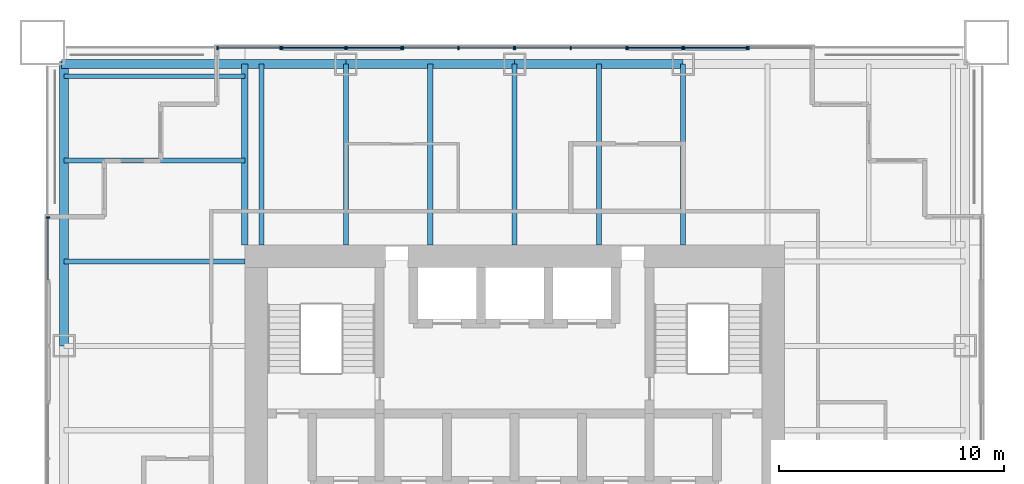
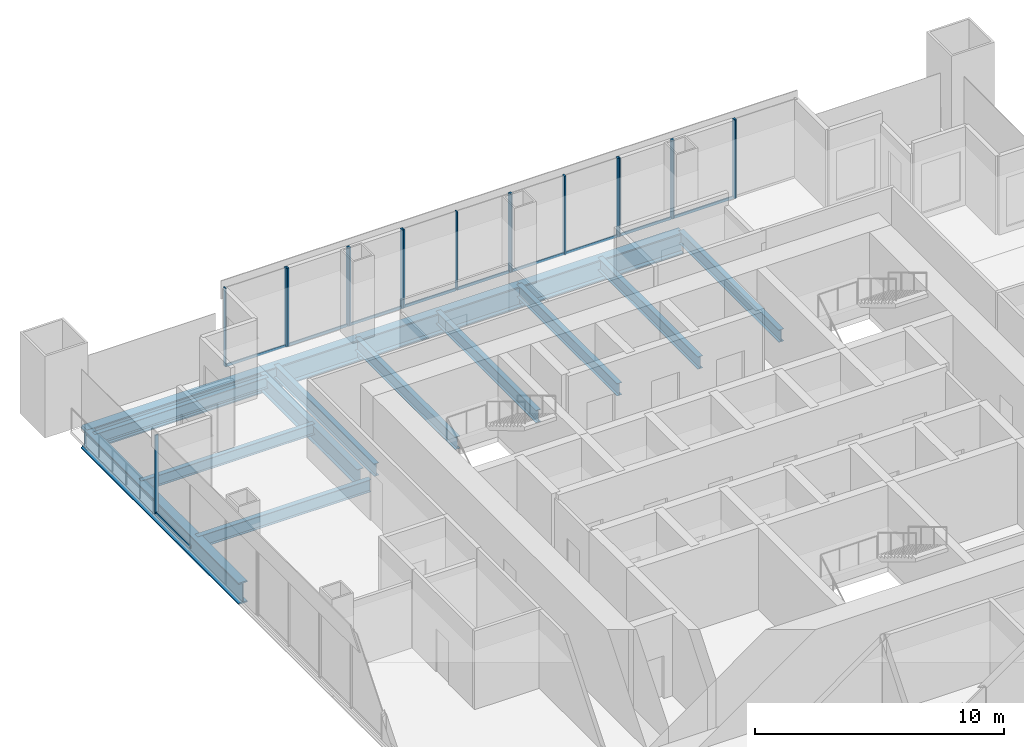
# One storey, part 6 of 14: 28 members, 14 beams, 9 elements without a shape of their own.
"""IFC4 building model written with IfcOpenShell, lengths in metres."""

import ifcopenshell
import ifcopenshell.guid

model = None  # the IFC model being written
_history = None  # IfcOwnerHistory: only IFC2X3 demands one
_inside = {}  # id of a spatial element -> (the spatial element, [elements in it])
_under = {}  # id of a project, library or spatial element -> (it, [spatial elements below it])
_declared = {}  # id of a project -> (the project, [libraries it declares])
_typed = {}  # id of a type object -> (the type object, [elements of that type])
_made_of = {}  # id of a material, layer set ... -> (it, [elements and type objects made of it])


def new_model(schema):
    """Start an empty IFC model of exactly this schema.

    Asked for "IFC4X3", IfcOpenShell would pick the latest addendum, in which some entities
    have other attributes; the version numbers below select the first issue.
    IFC2X3 requires an IfcOwnerHistory on every rooted entity: one is made here for all.
    """
    global model, _history
    if schema == "IFC4X3":
        model = ifcopenshell.file(schema_version=(4, 3, 0, 0))
    else:
        model = ifcopenshell.file(schema=schema)
    _inside.clear()
    _under.clear()
    _declared.clear()
    _typed.clear()
    _made_of.clear()
    _history = None
    if model.schema == "IFC2X3":
        org = make("IfcOrganization", Name="unknown")
        user = make(
            "IfcPersonAndOrganization",
            ThePerson=make("IfcPerson", FamilyName="unknown"),
            TheOrganization=org,
        )
        app = make(
            "IfcApplication",
            ApplicationDeveloper=org,
            Version="unknown",
            ApplicationFullName="unknown",
            ApplicationIdentifier="unknown",
        )
        _history = make(
            "IfcOwnerHistory",
            OwningUser=user,
            OwningApplication=app,
            ChangeAction="ADDED",
            CreationDate=0,
        )
    return model


def make(cls, **values):
    """One entity of the class cls with the attributes given. An attribute that is None is left unset."""
    return model.create_entity(
        cls, **{name: value for name, value in values.items() if value is not None}
    )


def rooted(cls, **values):
    """An entity with a GlobalId (a new one), such as an element, a storey or a relation."""
    return make(cls, GlobalId=ifcopenshell.guid.new(), OwnerHistory=_history, **values)


def si_unit(unit_type, name, prefix=None):
    """IfcSIUnit, for example si_unit("LENGTHUNIT", "METRE", prefix="MILLI")."""
    return make("IfcSIUnit", UnitType=unit_type, Prefix=prefix, Name=name)


def assignment(units):
    """IfcUnitAssignment: the units of a project."""
    return None if units is None else make("IfcUnitAssignment", Units=units)


def point(xyz):
    """IfcCartesianPoint."""
    return None if xyz is None else make("IfcCartesianPoint", Coordinates=xyz)


def direction(xyz):
    """IfcDirection."""
    return None if xyz is None else make("IfcDirection", DirectionRatios=xyz)


def frame(location, z_axis=None, x_axis=None):
    """IfcAxis2Placement3D, a coordinate frame: its origin and axes. An axis left out is left unset."""
    return make(
        "IfcAxis2Placement3D",
        Location=point(location),
        Axis=direction(z_axis),
        RefDirection=direction(x_axis),
    )


def frame_2d(location, x_axis=None):
    """IfcAxis2Placement2D, a coordinate frame in the plane: its origin and x axis."""
    return make(
        "IfcAxis2Placement2D", Location=point(location), RefDirection=direction(x_axis)
    )


def origin():
    """The frame at (0, 0, 0) with its axes left unset."""
    return frame((0.0, 0.0, 0.0))


def origin_2d():
    """The frame at (0, 0) in the plane with its x axis left unset."""
    return frame_2d((0.0, 0.0))


def place(relative_to, where):
    """IfcLocalPlacement: puts the frame where relative to a parent placement (None: the world)."""
    return make(
        "IfcLocalPlacement", PlacementRelTo=relative_to, RelativePlacement=where
    )


def context(
    kind, dimensions, precision=None, world=None, true_north=None, identifier=None
):
    """IfcGeometricRepresentationContext, for example the 3D "Model" context."""
    return make(
        "IfcGeometricRepresentationContext",
        ContextIdentifier=identifier,
        ContextType=kind,
        CoordinateSpaceDimension=dimensions,
        Precision=precision,
        WorldCoordinateSystem=world,
        TrueNorth=true_north,
    )


def subcontext(parent, identifier, kind, view, scale=None):
    """IfcGeometricRepresentationSubContext, for example "Body" below "Model"."""
    return make(
        "IfcGeometricRepresentationSubContext",
        ContextIdentifier=identifier,
        ContextType=kind,
        ParentContext=parent,
        TargetScale=scale,
        TargetView=view,
    )


def project(units=None, contexts=None):
    """IfcProject with its units and contexts."""
    return rooted(
        "IfcProject",
        Name="project",
        RepresentationContexts=contexts,
        UnitsInContext=assignment(units),
    )


def spatial(cls, under=None, at=None, **own):
    """A site, building, storey or space (cls), placed at a placement, below another one or the project."""
    s = rooted(cls, ObjectPlacement=at, **own)
    if under is not None:
        _under.setdefault(under.id(), (under, []))[1].append(s)
    return s


def profile(cls, at=None, kind="AREA", **sizes):
    """A parametric profile (cls). Its sizes go by their IFC names, for example OverallWidth=200.0."""
    return make(cls, ProfileType=kind, Position=at, **sizes)


def rectangle(**sizes):
    """IfcRectangleProfileDef."""
    return profile("IfcRectangleProfileDef", **sizes)


def i_section(**sizes):
    """IfcIShapeProfileDef."""
    return profile("IfcIShapeProfileDef", **sizes)


def extrude(swept, where, along, depth):
    """IfcExtrudedAreaSolid: the profile swept, set in the frame where, extruded along a direction by depth."""
    return make(
        "IfcExtrudedAreaSolid",
        SweptArea=swept,
        Position=where,
        ExtrudedDirection=direction(along),
        Depth=depth,
    )


def shape(context_of_items, identifier, shape_type, items):
    """IfcShapeRepresentation: the items that make up one representation, for example the "Body"."""
    return make(
        "IfcShapeRepresentation",
        ContextOfItems=context_of_items,
        RepresentationIdentifier=identifier,
        RepresentationType=shape_type,
        Items=items,
    )


def material(Name=None, Category=None):
    """IfcMaterial."""
    return make("IfcMaterial", Name=Name, Category=Category)


def material_profile(
    of_material, cross_section, Name=None, Category=None, Priority=None
):
    """IfcMaterialProfile: a cross section and its material."""
    return make(
        "IfcMaterialProfile",
        Name=Name,
        Material=of_material,
        Profile=cross_section,
        Priority=Priority,
        Category=Category,
    )


def profile_set(profiles, Name=None, composite=None):
    """IfcMaterialProfileSet."""
    return make(
        "IfcMaterialProfileSet",
        Name=Name,
        MaterialProfiles=profiles,
        CompositeProfile=composite,
    )


def made_of(thing, what):
    """Note that an element or type object is made of a material, layer set ...; save() writes the relation."""
    if what is not None:
        _made_of.setdefault(what.id(), (what, []))[1].append(thing)
    return thing


def type_object(cls, material=None, **own):
    """A type object (cls), such as IfcWallType, which elements share."""
    return made_of(rooted(cls, **own), material)


def element(
    cls,
    number,
    at=None,
    inside=None,
    cuts=None,
    type_object=None,
    material=None,
    context=None,
    identifier="Body",
    shape_type=None,
    held_by="IfcProductDefinitionShape",
    body=None,
    shapes=None,
    **own,
):
    """One element of the class cls, such as IfcWall. Its Tag is "e" and its number.

    at: its placement. inside: the storey or other place that contains it. cuts: it is an
    opening in that element (IfcRelVoidsElement). A single representation is given by context,
    identifier, shape_type and body (its items); several are given by shapes. held_by: the class
    of the entity that holds the representations. save() writes the other relations.
    """
    e = rooted(cls, Tag="e%d" % number, ObjectPlacement=at, **own)
    if body is not None:
        shapes = [shape(context, identifier, shape_type, body)]
    if shapes is not None:
        e.Representation = make(held_by, Representations=shapes)
    if inside is not None:
        _inside.setdefault(inside.id(), (inside, []))[1].append(e)
    if cuts is not None:
        rooted(
            "IfcRelVoidsElement", RelatingBuildingElement=cuts, RelatedOpeningElement=e
        )
    if type_object is not None:
        _typed.setdefault(type_object.id(), (type_object, []))[1].append(e)
    return made_of(e, material)


def aggregate(whole, parts):
    """IfcRelAggregates: a whole, such as a stair, and the parts it consists of."""
    return rooted("IfcRelAggregates", RelatingObject=whole, RelatedObjects=parts)


def save(model, path):
    """Write the relations noted so far, then the file.

    IfcRelAggregates (storeys below a building ...), IfcRelContainedInSpatialStructure (elements
    in a storey), IfcRelDefinesByType, IfcRelAssociatesMaterial and IfcRelDeclares: one each for
    every whole, place, type object, material and project.
    """
    for whole, parts in _under.values():
        aggregate(whole, parts)
    for where, things in _inside.values():
        rooted(
            "IfcRelContainedInSpatialStructure",
            RelatedElements=things,
            RelatingStructure=where,
        )
    for kind, things in _typed.values():
        rooted("IfcRelDefinesByType", RelatedObjects=things, RelatingType=kind)
    for what, things in _made_of.values():
        rooted("IfcRelAssociatesMaterial", RelatedObjects=things, RelatingMaterial=what)
    for by, libraries in _declared.values():
        rooted("IfcRelDeclares", RelatingContext=by, RelatedDefinitions=libraries)
    model.write(path)


model = new_model("IFC4")

# Units and contexts
model_context = context("Model", 3, precision=1e-05, world=origin(), true_north=direction((0.0, 1.0)))
body_context = subcontext(model_context, "Body", "Model", "MODEL_VIEW")
ifc_project = project(units=[si_unit("LENGTHUNIT", "METRE"), si_unit("AREAUNIT", "SQUARE_METRE"), si_unit("VOLUMEUNIT", "CUBIC_METRE"), si_unit("PLANEANGLEUNIT", "RADIAN"), si_unit("MASSUNIT", "GRAM", prefix="KILO")], contexts=[model_context])

# Site, building, storey
site_placement = place(None, origin())
site = spatial("IfcSite", under=ifc_project, at=site_placement, CompositionType="ELEMENT")
building_placement = place(site_placement, origin())
building = spatial("IfcBuilding", under=site, at=building_placement, Name="Tarangal Relay Tower", CompositionType="ELEMENT")
storey_placement = place(building_placement, frame((0.0, 0.0, 283.89990234375)))
storey = spatial("IfcBuildingStorey", under=building, at=storey_placement, Name="L62", CompositionType="ELEMENT", Elevation=283.89990234375)

# Beams
ifc_material_1 = material(Name="Steel ASTM A992", Category="steel")
ifc_material_profile_1 = material_profile(ifc_material_1, i_section(OverallWidth=0.209228515625, OverallDepth=0.533447265625, WebThickness=0.01025390625, FlangeThickness=0.015625, at=origin_2d()), Name="W21X62")
ifc_profile_set_1 = profile_set([ifc_material_profile_1], Name="Steel ASTM A992")
beam_type_1 = type_object("IfcBeamType", Name="Corner beam W21X62", PredefinedType="JOIST", material=ifc_profile_set_1)
for number, where, z_axis, x_axis, name in (
    (1, (-12.0, 15.75, -0.41650390625), (-1.0, 0.0, 0.0), (0.0, -1.0, 0.0), "Corner beam CB12 W L62"),
    (2, (-12.0, 19.5, -0.41650390625), (-1.0, 0.0, 0.0), (0.0, -1.0, 0.0), "Corner beam CB12 W L62"),
):
    element("IfcBeam", number, at=place(storey_placement, frame(where, z_axis=z_axis, x_axis=x_axis)), inside=storey, type_object=beam_type_1, Name=name, PredefinedType="JOIST", context=body_context, shape_type="SweptSolid", body=[
        extrude(i_section(OverallWidth=0.209228515625, OverallDepth=0.533447265625, WebThickness=0.01025390625, FlangeThickness=0.015625, at=origin_2d()), origin(), (0.0, 0.0, 1.0), 8.0400390625),
    ])
ifc_material_profile_2 = material_profile(ifc_material_1, i_section(OverallWidth=0.2919921875, OverallDepth=0.8408203125, WebThickness=0.0146484375, FlangeThickness=0.021728515625, at=origin_2d()), Name="W33X130")
ifc_profile_set_2 = profile_set([ifc_material_profile_2], Name="Steel ASTM A992")
beam_type_2 = type_object("IfcBeamType", Name="Corner girder W33X130", PredefinedType="BEAM", material=ifc_profile_set_2)
beam_1_placement = place(storey_placement, frame((-12.0, 12.0, -0.5703125), z_axis=(0.0, 1.0, 0.0), x_axis=(-1.0, 0.0, 0.0)))
element("IfcBeam", 3, at=beam_1_placement, inside=storey, type_object=beam_type_2, Name="Corner girder CG5 W L62", PredefinedType="BEAM", context=body_context, shape_type="SweptSolid", body=[
    extrude(i_section(OverallWidth=0.2919921875, OverallDepth=0.8408203125, WebThickness=0.0146484375, FlangeThickness=0.021728515625, at=origin_2d()), origin(), (0.0, 0.0, 1.0), 8.0400390625),
])
ifc_material_profile_3 = material_profile(ifc_material_1, i_section(OverallWidth=0.41162109375, OverallDepth=1.049072265625, WebThickness=0.033935546875, FlangeThickness=0.059814453125, at=origin_2d()), Name="W40X431")
ifc_profile_set_3 = profile_set([ifc_material_profile_3], Name="Steel ASTM A992")
beam_type_3 = type_object("IfcBeamType", Name="Edge girder W40X431", PredefinedType="SPANDREL", material=ifc_profile_set_3)
beam_2_placement = place(storey_placement, frame((-20.14990234375, 20.0400390625, -0.67431640625), z_axis=(1.0, 0.0, 0.0), x_axis=(0.0, 1.0, 0.0)))
element("IfcBeam", 4, at=beam_2_placement, inside=storey, type_object=beam_type_3, Name="Edge girder EG1 N L62", PredefinedType="SPANDREL", context=body_context, shape_type="SweptSolid", body=[
    extrude(i_section(OverallWidth=0.41162109375, OverallDepth=1.049072265625, WebThickness=0.033935546875, FlangeThickness=0.059814453125, at=origin_2d()), origin(), (0.0, 0.0, 1.0), 12.64990234375),
])
for number, where, z_axis, x_axis, name in (
    (5, (-7.5, 20.0400390625, -0.67431640625), (1.0, 0.0, 0.0), (0.0, 1.0, 0.0), "Edge girder EG1 N L62"),
    (6, (0.0, 20.0400390625, -0.67431640625), (1.0, 0.0, 0.0), (0.0, 1.0, 0.0), "Edge girder EG1 N L62"),
):
    element("IfcBeam", number, at=place(storey_placement, frame(where, z_axis=z_axis, x_axis=x_axis)), inside=storey, type_object=beam_type_3, Name=name, PredefinedType="SPANDREL", context=body_context, shape_type="SweptSolid", body=[
        extrude(i_section(OverallWidth=0.41162109375, OverallDepth=1.049072265625, WebThickness=0.033935546875, FlangeThickness=0.059814453125, at=origin_2d()), origin(), (0.0, 0.0, 1.0), 7.5),
    ])
beam_3_placement = place(storey_placement, frame((-20.0400390625, 7.5, -0.67431640625), z_axis=(0.0, 1.0, 0.0), x_axis=(-1.0, 0.0, 0.0)))
element("IfcBeam", 7, at=beam_3_placement, inside=storey, type_object=beam_type_3, Name="Edge girder EG1 W L62", PredefinedType="SPANDREL", context=body_context, shape_type="SweptSolid", body=[
    extrude(i_section(OverallWidth=0.41162109375, OverallDepth=1.049072265625, WebThickness=0.033935546875, FlangeThickness=0.059814453125, at=origin_2d()), origin(), (0.0, 0.0, 1.0), 12.64990234375),
])
ifc_material_profile_4 = material_profile(ifc_material_1, i_section(OverallWidth=0.228271484375, OverallDepth=0.607177734375, WebThickness=0.01123046875, FlangeThickness=0.017333984375, at=origin_2d()), Name="W24X76")
ifc_profile_set_4 = profile_set([ifc_material_profile_4], Name="Steel ASTM A992")
beam_type_4 = type_object("IfcBeamType", Name="Floor beam W24X76", PredefinedType="BEAM", material=ifc_profile_set_4)
for number, where, z_axis, x_axis, name in (
    (8, (-11.25, 12.0, -0.453369140625), (0.0, 1.0, 0.0), (-1.0, 0.0, 0.0), "Floor beam RB5 N L62"),
    (9, (-7.5, 12.0, -0.453369140625), (0.0, 1.0, 0.0), (-1.0, 0.0, 0.0), "Floor beam RB5 N L62"),
    (10, (-3.75, 12.0, -0.453369140625), (0.0, 1.0, 0.0), (-1.0, 0.0, 0.0), "Floor beam RB5 N L62"),
    (11, (0.0, 12.0, -0.453369140625), (0.0, 1.0, 0.0), (-1.0, 0.0, 0.0), "Floor beam RB5 N L62"),
    (12, (3.75, 12.0, -0.453369140625), (0.0, 1.0, 0.0), (-1.0, 0.0, 0.0), "Floor beam RB5 N L62"),
    (13, (7.5, 12.0, -0.453369140625), (0.0, 1.0, 0.0), (-1.0, 0.0, 0.0), "Floor beam RB5 N L62"),
    (14, (-12.0, 11.25, -0.453369140625), (-1.0, 0.0, 0.0), (0.0, -1.0, 0.0), "Floor beam RB5 W L62"),
):
    element("IfcBeam", number, at=place(storey_placement, frame(where, z_axis=z_axis, x_axis=x_axis)), inside=storey, type_object=beam_type_4, Name=name, PredefinedType="BEAM", context=body_context, shape_type="SweptSolid", body=[
        extrude(i_section(OverallWidth=0.228271484375, OverallDepth=0.607177734375, WebThickness=0.01123046875, FlangeThickness=0.017333984375, at=origin_2d()), origin(), (0.0, 0.0, 1.0), 8.0400390625),
    ])

# Curtain wall, members
ifc_material_2 = material(Name="Unitised curtain wall, dark glass and black aluminium", Category="aluminium")
curtain_wall_type_1 = type_object("IfcCurtainWallType", Name="Curtain wall CW-B", PredefinedType="USERDEFINED", material=ifc_material_2)
curtain_wall_1_placement = place(storey_placement, origin())
curtain_wall_1 = element("IfcCurtainWall", 15, at=curtain_wall_1_placement, inside=storey, type_object=curtain_wall_type_1, Name="Curtain wall CW-B N facade L62", ObjectType="UNITISED CURTAIN WALL", PredefinedType="USERDEFINED")
ifc_material_3 = material(Name="Black anodised aluminium mullion", Category="aluminium")
ifc_material_profile_5 = material_profile(ifc_material_3, rectangle(XDim=0.159912109375, YDim=0.06005859375, at=origin_2d()), Name="CW-BM 60X160")
ifc_profile_set_5 = profile_set([ifc_material_profile_5], Name="Black anodised aluminium mullion")
member_type_1 = type_object("IfcMemberType", Name="Mullion CW-B 60 x 160", PredefinedType="MULLION", material=ifc_profile_set_5)
member_1_placement = place(storey_placement, frame((-13.219970703125, 20.75, 0.0), z_axis=(0.0, 0.0, 1.0), x_axis=(0.0, 1.0, 0.0)))
member_1 = element("IfcMember", 16, at=member_1_placement, type_object=member_type_1, Name="CW-B mullion 1", PredefinedType="MULLION", context=body_context, shape_type="SweptSolid", body=[
    extrude(rectangle(XDim=0.159912109375, YDim=0.06005859375, at=origin_2d()), origin(), (0.0, 0.0, 1.0), 3.85009765625),
])
member_2_placement = place(storey_placement, frame((-10.405029296875, 20.75, 0.0), z_axis=(0.0, 0.0, 1.0), x_axis=(0.0, 1.0, 0.0)))
member_2 = element("IfcMember", 17, at=member_2_placement, type_object=member_type_1, Name="CW-B mullion 2", PredefinedType="MULLION", context=body_context, shape_type="SweptSolid", body=[
    extrude(rectangle(XDim=0.159912109375, YDim=0.06005859375, at=origin_2d()), origin(), (0.0, 0.0, 1.0), 3.85009765625),
])

curtain_wall_2_placement = place(storey_placement, origin())
curtain_wall_2 = element("IfcCurtainWall", 18, at=curtain_wall_2_placement, inside=storey, type_object=curtain_wall_type_1, Name="Curtain wall CW-B N facade L62", ObjectType="UNITISED CURTAIN WALL", PredefinedType="USERDEFINED")
member_3_placement = place(storey_placement, frame((-4.969970703125, 20.75, 0.0), z_axis=(0.0, 0.0, 1.0), x_axis=(0.0, 1.0, 0.0)))
member_3 = element("IfcMember", 19, at=member_3_placement, type_object=member_type_1, Name="CW-B mullion 1", PredefinedType="MULLION", context=body_context, shape_type="SweptSolid", body=[
    extrude(rectangle(XDim=0.159912109375, YDim=0.06005859375, at=origin_2d()), origin(), (0.0, 0.0, 1.0), 3.85009765625),
])
member_4_placement = place(storey_placement, frame((-2.5, 20.75, 0.0), z_axis=(0.0, 0.0, 1.0), x_axis=(0.0, 1.0, 0.0)))
member_4 = element("IfcMember", 20, at=member_4_placement, type_object=member_type_1, Name="CW-B mullion 2", PredefinedType="MULLION", context=body_context, shape_type="SweptSolid", body=[
    extrude(rectangle(XDim=0.159912109375, YDim=0.06005859375, at=origin_2d()), origin(), (0.0, 0.0, 1.0), 3.85009765625),
])
member_5_placement = place(storey_placement, frame((-0.030029296875, 20.75, 0.0), z_axis=(0.0, 0.0, 1.0), x_axis=(0.0, 1.0, 0.0)))
member_5 = element("IfcMember", 21, at=member_5_placement, type_object=member_type_1, Name="CW-B mullion 3", PredefinedType="MULLION", context=body_context, shape_type="SweptSolid", body=[
    extrude(rectangle(XDim=0.159912109375, YDim=0.06005859375, at=origin_2d()), origin(), (0.0, 0.0, 1.0), 3.85009765625),
])

curtain_wall_3_placement = place(storey_placement, origin())
curtain_wall_3 = element("IfcCurtainWall", 22, at=curtain_wall_3_placement, inside=storey, type_object=curtain_wall_type_1, Name="Curtain wall CW-B N facade L62", ObjectType="UNITISED CURTAIN WALL", PredefinedType="USERDEFINED")
member_6_placement = place(storey_placement, frame((0.030029296875, 20.75, 0.0), z_axis=(0.0, 0.0, 1.0), x_axis=(0.0, 1.0, 0.0)))
member_6 = element("IfcMember", 23, at=member_6_placement, type_object=member_type_1, Name="CW-B mullion 1", PredefinedType="MULLION", context=body_context, shape_type="SweptSolid", body=[
    extrude(rectangle(XDim=0.159912109375, YDim=0.06005859375, at=origin_2d()), origin(), (0.0, 0.0, 1.0), 3.85009765625),
])
member_7_placement = place(storey_placement, frame((2.5, 20.75, 0.0), z_axis=(0.0, 0.0, 1.0), x_axis=(0.0, 1.0, 0.0)))
member_7 = element("IfcMember", 24, at=member_7_placement, type_object=member_type_1, Name="CW-B mullion 2", PredefinedType="MULLION", context=body_context, shape_type="SweptSolid", body=[
    extrude(rectangle(XDim=0.159912109375, YDim=0.06005859375, at=origin_2d()), origin(), (0.0, 0.0, 1.0), 3.85009765625),
])
member_8_placement = place(storey_placement, frame((4.969970703125, 20.75, 0.0), z_axis=(0.0, 0.0, 1.0), x_axis=(0.0, 1.0, 0.0)))
member_8 = element("IfcMember", 25, at=member_8_placement, type_object=member_type_1, Name="CW-B mullion 3", PredefinedType="MULLION", context=body_context, shape_type="SweptSolid", body=[
    extrude(rectangle(XDim=0.159912109375, YDim=0.06005859375, at=origin_2d()), origin(), (0.0, 0.0, 1.0), 3.85009765625),
])

# Curtain wall, member
curtain_wall_4_placement = place(storey_placement, origin())
curtain_wall_4 = element("IfcCurtainWall", 26, at=curtain_wall_4_placement, inside=storey, type_object=curtain_wall_type_1, Name="Curtain wall CW-B N facade L62", ObjectType="UNITISED CURTAIN WALL", PredefinedType="USERDEFINED")
member_9_placement = place(storey_placement, frame((10.405029296875, 20.75, 0.0), z_axis=(0.0, 0.0, 1.0), x_axis=(0.0, 1.0, 0.0)))
member_9 = element("IfcMember", 27, at=member_9_placement, type_object=member_type_1, Name="CW-B mullion 1", PredefinedType="MULLION", context=body_context, shape_type="SweptSolid", body=[
    extrude(rectangle(XDim=0.159912109375, YDim=0.06005859375, at=origin_2d()), origin(), (0.0, 0.0, 1.0), 3.85009765625),
])
aggregate(curtain_wall_4, [member_9])

curtain_wall_5_placement = place(storey_placement, origin())
curtain_wall_5 = element("IfcCurtainWall", 28, at=curtain_wall_5_placement, inside=storey, type_object=curtain_wall_type_1, Name="Curtain wall CW-B W facade L62", ObjectType="UNITISED CURTAIN WALL", PredefinedType="USERDEFINED")
member_10_placement = place(storey_placement, frame((-20.75, 13.219970703125, 0.0), z_axis=(0.0, 0.0, 1.0), x_axis=(-1.0, 0.0, 0.0)))
member_10 = element("IfcMember", 29, at=member_10_placement, type_object=member_type_1, Name="CW-B mullion 2", PredefinedType="MULLION", context=body_context, shape_type="SweptSolid", body=[
    extrude(rectangle(XDim=0.159912109375, YDim=0.06005859375, at=origin_2d()), origin(), (0.0, 0.0, 1.0), 3.85009765625),
])

# Curtain wall, members
ifc_material_4 = material(Name="Unitised curtain wall frame, black aluminium, with metal clad infill walls", Category="aluminium")
curtain_wall_type_2 = type_object("IfcCurtainWallType", Name="Curtain wall CW-BO", PredefinedType="USERDEFINED", material=ifc_material_4)
curtain_wall_6_placement = place(storey_placement, origin())
curtain_wall_6 = element("IfcCurtainWall", 30, at=curtain_wall_6_placement, inside=storey, type_object=curtain_wall_type_2, Name="Curtain wall CW-BO N facade L62", ObjectType="UNITISED CURTAIN WALL", PredefinedType="USERDEFINED")
ifc_material_profile_6 = material_profile(ifc_material_3, rectangle(XDim=0.159912109375, YDim=0.06005859375, at=origin_2d()), Name="CW-BOM 60X160")
ifc_profile_set_6 = profile_set([ifc_material_profile_6], Name="Black anodised aluminium mullion")
member_type_2 = type_object("IfcMemberType", Name="Mullion CW-BO 60 x 160", PredefinedType="MULLION", material=ifc_profile_set_6)
member_11_placement = place(storey_placement, frame((-10.344970703125, 20.75, 0.0), z_axis=(0.0, 0.0, 1.0), x_axis=(0.0, 1.0, 0.0)))
member_11 = element("IfcMember", 31, at=member_11_placement, type_object=member_type_2, Name="CW-BO mullion 1", PredefinedType="MULLION", context=body_context, shape_type="SweptSolid", body=[
    extrude(rectangle(XDim=0.159912109375, YDim=0.06005859375, at=origin_2d()), origin(), (0.0, 0.0, 1.0), 3.85009765625),
])
member_12_placement = place(storey_placement, frame((-7.530029296875, 20.75, 0.0), z_axis=(0.0, 0.0, 1.0), x_axis=(0.0, 1.0, 0.0)))
member_12 = element("IfcMember", 32, at=member_12_placement, type_object=member_type_2, Name="CW-BO mullion 2", PredefinedType="MULLION", context=body_context, shape_type="SweptSolid", body=[
    extrude(rectangle(XDim=0.159912109375, YDim=0.06005859375, at=origin_2d()), origin(), (0.0, 0.0, 1.0), 3.85009765625),
])

curtain_wall_7_placement = place(storey_placement, origin())
curtain_wall_7 = element("IfcCurtainWall", 33, at=curtain_wall_7_placement, inside=storey, type_object=curtain_wall_type_2, Name="Curtain wall CW-BO N facade L62", ObjectType="UNITISED CURTAIN WALL", PredefinedType="USERDEFINED")
member_13_placement = place(storey_placement, frame((-7.469970703125, 20.75, 0.0), z_axis=(0.0, 0.0, 1.0), x_axis=(0.0, 1.0, 0.0)))
member_13 = element("IfcMember", 34, at=member_13_placement, type_object=member_type_2, Name="CW-BO mullion 1", PredefinedType="MULLION", context=body_context, shape_type="SweptSolid", body=[
    extrude(rectangle(XDim=0.159912109375, YDim=0.06005859375, at=origin_2d()), origin(), (0.0, 0.0, 1.0), 3.85009765625),
])
member_14_placement = place(storey_placement, frame((-5.030029296875, 20.75, 0.0), z_axis=(0.0, 0.0, 1.0), x_axis=(0.0, 1.0, 0.0)))
member_14 = element("IfcMember", 35, at=member_14_placement, type_object=member_type_2, Name="CW-BO mullion 2", PredefinedType="MULLION", context=body_context, shape_type="SweptSolid", body=[
    extrude(rectangle(XDim=0.159912109375, YDim=0.06005859375, at=origin_2d()), origin(), (0.0, 0.0, 1.0), 3.85009765625),
])

curtain_wall_8_placement = place(storey_placement, origin())
curtain_wall_8 = element("IfcCurtainWall", 36, at=curtain_wall_8_placement, inside=storey, type_object=curtain_wall_type_2, Name="Curtain wall CW-BO N facade L62", ObjectType="UNITISED CURTAIN WALL", PredefinedType="USERDEFINED")
member_15_placement = place(storey_placement, frame((5.030029296875, 20.75, 0.0), z_axis=(0.0, 0.0, 1.0), x_axis=(0.0, 1.0, 0.0)))
member_15 = element("IfcMember", 37, at=member_15_placement, type_object=member_type_2, Name="CW-BO mullion 1", PredefinedType="MULLION", context=body_context, shape_type="SweptSolid", body=[
    extrude(rectangle(XDim=0.159912109375, YDim=0.06005859375, at=origin_2d()), origin(), (0.0, 0.0, 1.0), 3.85009765625),
])
member_16_placement = place(storey_placement, frame((7.469970703125, 20.75, 0.0), z_axis=(0.0, 0.0, 1.0), x_axis=(0.0, 1.0, 0.0)))
member_16 = element("IfcMember", 38, at=member_16_placement, type_object=member_type_2, Name="CW-BO mullion 2", PredefinedType="MULLION", context=body_context, shape_type="SweptSolid", body=[
    extrude(rectangle(XDim=0.159912109375, YDim=0.06005859375, at=origin_2d()), origin(), (0.0, 0.0, 1.0), 3.85009765625),
])

curtain_wall_9_placement = place(storey_placement, origin())
curtain_wall_9 = element("IfcCurtainWall", 39, at=curtain_wall_9_placement, inside=storey, type_object=curtain_wall_type_2, Name="Curtain wall CW-BO N facade L62", ObjectType="UNITISED CURTAIN WALL", PredefinedType="USERDEFINED")
member_17_placement = place(storey_placement, frame((7.530029296875, 20.75, 0.0), z_axis=(0.0, 0.0, 1.0), x_axis=(0.0, 1.0, 0.0)))
member_17 = element("IfcMember", 40, at=member_17_placement, type_object=member_type_2, Name="CW-BO mullion 1", PredefinedType="MULLION", context=body_context, shape_type="SweptSolid", body=[
    extrude(rectangle(XDim=0.159912109375, YDim=0.06005859375, at=origin_2d()), origin(), (0.0, 0.0, 1.0), 3.85009765625),
])
member_18_placement = place(storey_placement, frame((10.344970703125, 20.75, 0.0), z_axis=(0.0, 0.0, 1.0), x_axis=(0.0, 1.0, 0.0)))
member_18 = element("IfcMember", 41, at=member_18_placement, type_object=member_type_2, Name="CW-BO mullion 2", PredefinedType="MULLION", context=body_context, shape_type="SweptSolid", body=[
    extrude(rectangle(XDim=0.159912109375, YDim=0.06005859375, at=origin_2d()), origin(), (0.0, 0.0, 1.0), 3.85009765625),
])

# Member
ifc_material_5 = material(Name="Black anodised aluminium transom", Category="aluminium")
ifc_material_profile_7 = material_profile(ifc_material_5, rectangle(XDim=0.06005859375, YDim=0.1298828125, at=origin_2d()), Name="CW-BT 60X130")
ifc_profile_set_7 = profile_set([ifc_material_profile_7], Name="Black anodised aluminium transom")
member_type_3 = type_object("IfcMemberType", Name="Transom CW-B 60 x 130", PredefinedType="USERDEFINED", material=ifc_profile_set_7)
member_19_placement = place(storey_placement, frame((-13.18994140625, 20.75, 0.030029296875), z_axis=(1.0, 0.0, 0.0), x_axis=(0.0, 1.0, 0.0)))
member_19 = element("IfcMember", 42, at=member_19_placement, type_object=member_type_3, Name="CW-B transom 1.1", ObjectType="TRANSOM", PredefinedType="USERDEFINED", context=body_context, shape_type="SweptSolid", body=[
    extrude(rectangle(XDim=0.06005859375, YDim=0.1298828125, at=origin_2d()), origin(), (0.0, 0.0, 1.0), 2.7548828125),
])

aggregate(curtain_wall_1, [member_1, member_2, member_19])

member_20_placement = place(storey_placement, frame((-4.93994140625, 20.75, 0.030029296875), z_axis=(1.0, 0.0, 0.0), x_axis=(0.0, 1.0, 0.0)))
member_20 = element("IfcMember", 43, at=member_20_placement, type_object=member_type_3, Name="CW-B transom 1.1", ObjectType="TRANSOM", PredefinedType="USERDEFINED", context=body_context, shape_type="SweptSolid", body=[
    extrude(rectangle(XDim=0.06005859375, YDim=0.1298828125, at=origin_2d()), origin(), (0.0, 0.0, 1.0), 2.409912109375),
])

member_21_placement = place(storey_placement, frame((-2.469970703125, 20.75, 0.030029296875), z_axis=(1.0, 0.0, 0.0), x_axis=(0.0, 1.0, 0.0)))
member_21 = element("IfcMember", 44, at=member_21_placement, type_object=member_type_3, Name="CW-B transom 2.1", ObjectType="TRANSOM", PredefinedType="USERDEFINED", context=body_context, shape_type="SweptSolid", body=[
    extrude(rectangle(XDim=0.06005859375, YDim=0.1298828125, at=origin_2d()), origin(), (0.0, 0.0, 1.0), 2.409912109375),
])

aggregate(curtain_wall_2, [member_3, member_4, member_5, member_20, member_21])

member_22_placement = place(storey_placement, frame((0.06005859375, 20.75, 0.030029296875), z_axis=(1.0, 0.0, 0.0), x_axis=(0.0, 1.0, 0.0)))
member_22 = element("IfcMember", 45, at=member_22_placement, type_object=member_type_3, Name="CW-B transom 1.1", ObjectType="TRANSOM", PredefinedType="USERDEFINED", context=body_context, shape_type="SweptSolid", body=[
    extrude(rectangle(XDim=0.06005859375, YDim=0.1298828125, at=origin_2d()), origin(), (0.0, 0.0, 1.0), 2.409912109375),
])

member_23_placement = place(storey_placement, frame((2.530029296875, 20.75, 0.030029296875), z_axis=(1.0, 0.0, 0.0), x_axis=(0.0, 1.0, 0.0)))
member_23 = element("IfcMember", 46, at=member_23_placement, type_object=member_type_3, Name="CW-B transom 2.1", ObjectType="TRANSOM", PredefinedType="USERDEFINED", context=body_context, shape_type="SweptSolid", body=[
    extrude(rectangle(XDim=0.06005859375, YDim=0.1298828125, at=origin_2d()), origin(), (0.0, 0.0, 1.0), 2.409912109375),
])

aggregate(curtain_wall_3, [member_6, member_7, member_8, member_22, member_23])

member_24_placement = place(storey_placement, frame((-20.75, 10.43505859375, 0.030029296875), z_axis=(0.0, 1.0, 0.0), x_axis=(-1.0, 0.0, 0.0)))
member_24 = element("IfcMember", 47, at=member_24_placement, type_object=member_type_3, Name="CW-B transom 1.1", ObjectType="TRANSOM", PredefinedType="USERDEFINED", context=body_context, shape_type="SweptSolid", body=[
    extrude(rectangle(XDim=0.06005859375, YDim=0.1298828125, at=origin_2d()), origin(), (0.0, 0.0, 1.0), 2.7548828125),
])

aggregate(curtain_wall_5, [member_10, member_24])

ifc_material_profile_8 = material_profile(ifc_material_5, rectangle(XDim=0.06005859375, YDim=0.1298828125, at=origin_2d()), Name="CW-BOT 60X130")
ifc_profile_set_8 = profile_set([ifc_material_profile_8], Name="Black anodised aluminium transom")
member_type_4 = type_object("IfcMemberType", Name="Transom CW-BO 60 x 130", PredefinedType="USERDEFINED", material=ifc_profile_set_8)
member_25_placement = place(storey_placement, frame((-10.31494140625, 20.75, 0.030029296875), z_axis=(1.0, 0.0, 0.0), x_axis=(0.0, 1.0, 0.0)))
member_25 = element("IfcMember", 48, at=member_25_placement, type_object=member_type_4, Name="CW-BO transom 1.1", ObjectType="TRANSOM", PredefinedType="USERDEFINED", context=body_context, shape_type="SweptSolid", body=[
    extrude(rectangle(XDim=0.06005859375, YDim=0.1298828125, at=origin_2d()), origin(), (0.0, 0.0, 1.0), 2.7548828125),
])

aggregate(curtain_wall_6, [member_11, member_12, member_25])

member_26_placement = place(storey_placement, frame((-7.43994140625, 20.75, 0.030029296875), z_axis=(1.0, 0.0, 0.0), x_axis=(0.0, 1.0, 0.0)))
member_26 = element("IfcMember", 49, at=member_26_placement, type_object=member_type_4, Name="CW-BO transom 1.1", ObjectType="TRANSOM", PredefinedType="USERDEFINED", context=body_context, shape_type="SweptSolid", body=[
    extrude(rectangle(XDim=0.06005859375, YDim=0.1298828125, at=origin_2d()), origin(), (0.0, 0.0, 1.0), 2.3798828125),
])

aggregate(curtain_wall_7, [member_13, member_14, member_26])

member_27_placement = place(storey_placement, frame((5.06005859375, 20.75, 0.030029296875), z_axis=(1.0, 0.0, 0.0), x_axis=(0.0, 1.0, 0.0)))
member_27 = element("IfcMember", 50, at=member_27_placement, type_object=member_type_4, Name="CW-BO transom 1.1", ObjectType="TRANSOM", PredefinedType="USERDEFINED", context=body_context, shape_type="SweptSolid", body=[
    extrude(rectangle(XDim=0.06005859375, YDim=0.1298828125, at=origin_2d()), origin(), (0.0, 0.0, 1.0), 2.3798828125),
])

aggregate(curtain_wall_8, [member_15, member_16, member_27])

member_28_placement = place(storey_placement, frame((7.56005859375, 20.75, 0.030029296875), z_axis=(1.0, 0.0, 0.0), x_axis=(0.0, 1.0, 0.0)))
member_28 = element("IfcMember", 51, at=member_28_placement, type_object=member_type_4, Name="CW-BO transom 1.1", ObjectType="TRANSOM", PredefinedType="USERDEFINED", context=body_context, shape_type="SweptSolid", body=[
    extrude(rectangle(XDim=0.06005859375, YDim=0.1298828125, at=origin_2d()), origin(), (0.0, 0.0, 1.0), 2.7548828125),
])

aggregate(curtain_wall_9, [member_17, member_18, member_28])

save(model, "model.ifc")
